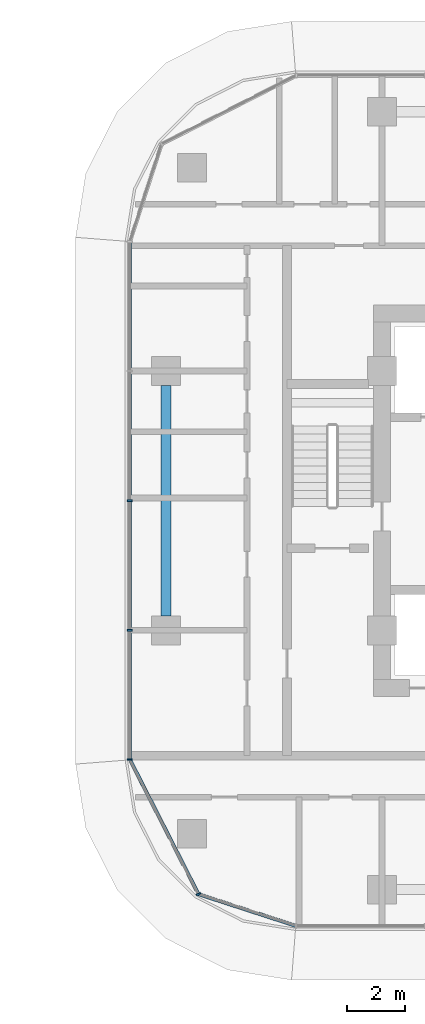
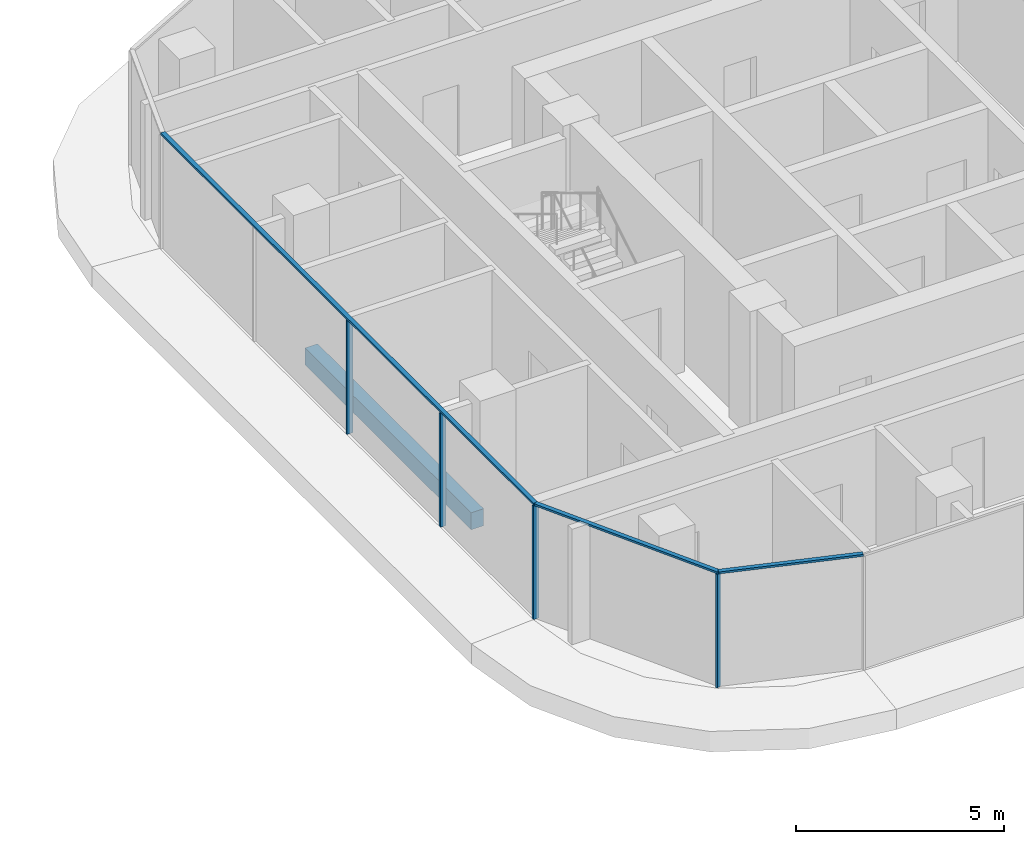
# One storey, part 8 of 39: 7 members, 1 beam, 2 elements without a shape of their own.
"""IFC4 building model written with IfcOpenShell, lengths in metres."""

import ifcopenshell
import ifcopenshell.guid

model = None  # the IFC model being written
_history = None  # IfcOwnerHistory: only IFC2X3 demands one
_inside = {}  # id of a spatial element -> (the spatial element, [elements in it])
_under = {}  # id of a project, library or spatial element -> (it, [spatial elements below it])
_declared = {}  # id of a project -> (the project, [libraries it declares])
_typed = {}  # id of a type object -> (the type object, [elements of that type])
_made_of = {}  # id of a material, layer set ... -> (it, [elements and type objects made of it])


def new_model(schema):
    """Start an empty IFC model of exactly this schema.

    Asked for "IFC4X3", IfcOpenShell would pick the latest addendum, in which some entities
    have other attributes; the version numbers below select the first issue.
    IFC2X3 requires an IfcOwnerHistory on every rooted entity: one is made here for all.
    """
    global model, _history
    if schema == "IFC4X3":
        model = ifcopenshell.file(schema_version=(4, 3, 0, 0))
    else:
        model = ifcopenshell.file(schema=schema)
    _inside.clear()
    _under.clear()
    _declared.clear()
    _typed.clear()
    _made_of.clear()
    _history = None
    if model.schema == "IFC2X3":
        org = make("IfcOrganization", Name="unknown")
        user = make(
            "IfcPersonAndOrganization",
            ThePerson=make("IfcPerson", FamilyName="unknown"),
            TheOrganization=org,
        )
        app = make(
            "IfcApplication",
            ApplicationDeveloper=org,
            Version="unknown",
            ApplicationFullName="unknown",
            ApplicationIdentifier="unknown",
        )
        _history = make(
            "IfcOwnerHistory",
            OwningUser=user,
            OwningApplication=app,
            ChangeAction="ADDED",
            CreationDate=0,
        )
    return model


def make(cls, **values):
    """One entity of the class cls with the attributes given. An attribute that is None is left unset."""
    return model.create_entity(
        cls, **{name: value for name, value in values.items() if value is not None}
    )


def rooted(cls, **values):
    """An entity with a GlobalId (a new one), such as an element, a storey or a relation."""
    return make(cls, GlobalId=ifcopenshell.guid.new(), OwnerHistory=_history, **values)


def si_unit(unit_type, name, prefix=None):
    """IfcSIUnit, for example si_unit("LENGTHUNIT", "METRE", prefix="MILLI")."""
    return make("IfcSIUnit", UnitType=unit_type, Prefix=prefix, Name=name)


def assignment(units):
    """IfcUnitAssignment: the units of a project."""
    return None if units is None else make("IfcUnitAssignment", Units=units)


def point(xyz):
    """IfcCartesianPoint."""
    return None if xyz is None else make("IfcCartesianPoint", Coordinates=xyz)


def direction(xyz):
    """IfcDirection."""
    return None if xyz is None else make("IfcDirection", DirectionRatios=xyz)


def frame(location, z_axis=None, x_axis=None):
    """IfcAxis2Placement3D, a coordinate frame: its origin and axes. An axis left out is left unset."""
    return make(
        "IfcAxis2Placement3D",
        Location=point(location),
        Axis=direction(z_axis),
        RefDirection=direction(x_axis),
    )


def frame_2d(location, x_axis=None):
    """IfcAxis2Placement2D, a coordinate frame in the plane: its origin and x axis."""
    return make(
        "IfcAxis2Placement2D", Location=point(location), RefDirection=direction(x_axis)
    )


def origin():
    """The frame at (0, 0, 0) with its axes left unset."""
    return frame((0.0, 0.0, 0.0))


def origin_2d():
    """The frame at (0, 0) in the plane with its x axis left unset."""
    return frame_2d((0.0, 0.0))


def place(relative_to, where):
    """IfcLocalPlacement: puts the frame where relative to a parent placement (None: the world)."""
    return make(
        "IfcLocalPlacement", PlacementRelTo=relative_to, RelativePlacement=where
    )


def context(
    kind, dimensions, precision=None, world=None, true_north=None, identifier=None
):
    """IfcGeometricRepresentationContext, for example the 3D "Model" context."""
    return make(
        "IfcGeometricRepresentationContext",
        ContextIdentifier=identifier,
        ContextType=kind,
        CoordinateSpaceDimension=dimensions,
        Precision=precision,
        WorldCoordinateSystem=world,
        TrueNorth=true_north,
    )


def subcontext(parent, identifier, kind, view, scale=None):
    """IfcGeometricRepresentationSubContext, for example "Body" below "Model"."""
    return make(
        "IfcGeometricRepresentationSubContext",
        ContextIdentifier=identifier,
        ContextType=kind,
        ParentContext=parent,
        TargetScale=scale,
        TargetView=view,
    )


def project(units=None, contexts=None):
    """IfcProject with its units and contexts."""
    return rooted(
        "IfcProject",
        Name="project",
        RepresentationContexts=contexts,
        UnitsInContext=assignment(units),
    )


def spatial(cls, under=None, at=None, **own):
    """A site, building, storey or space (cls), placed at a placement, below another one or the project."""
    s = rooted(cls, ObjectPlacement=at, **own)
    if under is not None:
        _under.setdefault(under.id(), (under, []))[1].append(s)
    return s


def profile(cls, at=None, kind="AREA", **sizes):
    """A parametric profile (cls). Its sizes go by their IFC names, for example OverallWidth=200.0."""
    return make(cls, ProfileType=kind, Position=at, **sizes)


def rectangle(**sizes):
    """IfcRectangleProfileDef."""
    return profile("IfcRectangleProfileDef", **sizes)


def extrude(swept, where, along, depth):
    """IfcExtrudedAreaSolid: the profile swept, set in the frame where, extruded along a direction by depth."""
    return make(
        "IfcExtrudedAreaSolid",
        SweptArea=swept,
        Position=where,
        ExtrudedDirection=direction(along),
        Depth=depth,
    )


def shape(context_of_items, identifier, shape_type, items):
    """IfcShapeRepresentation: the items that make up one representation, for example the "Body"."""
    return make(
        "IfcShapeRepresentation",
        ContextOfItems=context_of_items,
        RepresentationIdentifier=identifier,
        RepresentationType=shape_type,
        Items=items,
    )


def material(Name=None, Category=None):
    """IfcMaterial."""
    return make("IfcMaterial", Name=Name, Category=Category)


def material_profile(
    of_material, cross_section, Name=None, Category=None, Priority=None
):
    """IfcMaterialProfile: a cross section and its material."""
    return make(
        "IfcMaterialProfile",
        Name=Name,
        Material=of_material,
        Profile=cross_section,
        Priority=Priority,
        Category=Category,
    )


def profile_set(profiles, Name=None, composite=None):
    """IfcMaterialProfileSet."""
    return make(
        "IfcMaterialProfileSet",
        Name=Name,
        MaterialProfiles=profiles,
        CompositeProfile=composite,
    )


def made_of(thing, what):
    """Note that an element or type object is made of a material, layer set ...; save() writes the relation."""
    if what is not None:
        _made_of.setdefault(what.id(), (what, []))[1].append(thing)
    return thing


def type_object(cls, material=None, **own):
    """A type object (cls), such as IfcWallType, which elements share."""
    return made_of(rooted(cls, **own), material)


def element(
    cls,
    number,
    at=None,
    inside=None,
    cuts=None,
    type_object=None,
    material=None,
    context=None,
    identifier="Body",
    shape_type=None,
    held_by="IfcProductDefinitionShape",
    body=None,
    shapes=None,
    **own,
):
    """One element of the class cls, such as IfcWall. Its Tag is "e" and its number.

    at: its placement. inside: the storey or other place that contains it. cuts: it is an
    opening in that element (IfcRelVoidsElement). A single representation is given by context,
    identifier, shape_type and body (its items); several are given by shapes. held_by: the class
    of the entity that holds the representations. save() writes the other relations.
    """
    e = rooted(cls, Tag="e%d" % number, ObjectPlacement=at, **own)
    if body is not None:
        shapes = [shape(context, identifier, shape_type, body)]
    if shapes is not None:
        e.Representation = make(held_by, Representations=shapes)
    if inside is not None:
        _inside.setdefault(inside.id(), (inside, []))[1].append(e)
    if cuts is not None:
        rooted(
            "IfcRelVoidsElement", RelatingBuildingElement=cuts, RelatedOpeningElement=e
        )
    if type_object is not None:
        _typed.setdefault(type_object.id(), (type_object, []))[1].append(e)
    return made_of(e, material)


def aggregate(whole, parts):
    """IfcRelAggregates: a whole, such as a stair, and the parts it consists of."""
    return rooted("IfcRelAggregates", RelatingObject=whole, RelatedObjects=parts)


def save(model, path):
    """Write the relations noted so far, then the file.

    IfcRelAggregates (storeys below a building ...), IfcRelContainedInSpatialStructure (elements
    in a storey), IfcRelDefinesByType, IfcRelAssociatesMaterial and IfcRelDeclares: one each for
    every whole, place, type object, material and project.
    """
    for whole, parts in _under.values():
        aggregate(whole, parts)
    for where, things in _inside.values():
        rooted(
            "IfcRelContainedInSpatialStructure",
            RelatedElements=things,
            RelatingStructure=where,
        )
    for kind, things in _typed.values():
        rooted("IfcRelDefinesByType", RelatedObjects=things, RelatingType=kind)
    for what, things in _made_of.values():
        rooted("IfcRelAssociatesMaterial", RelatedObjects=things, RelatingMaterial=what)
    for by, libraries in _declared.values():
        rooted("IfcRelDeclares", RelatingContext=by, RelatedDefinitions=libraries)
    model.write(path)


model = new_model("IFC4")

# Units and contexts
model_context = context("Model", 3, precision=1e-05, world=origin(), true_north=direction((0.0, 1.0)))
body_context = subcontext(model_context, "Body", "Model", "MODEL_VIEW")
ifc_project = project(units=[si_unit("LENGTHUNIT", "METRE"), si_unit("AREAUNIT", "SQUARE_METRE"), si_unit("VOLUMEUNIT", "CUBIC_METRE"), si_unit("PLANEANGLEUNIT", "RADIAN"), si_unit("MASSUNIT", "GRAM", prefix="KILO")], contexts=[model_context])

# Site, building, storey
site_placement = place(None, origin())
site = spatial("IfcSite", under=ifc_project, at=site_placement, CompositionType="ELEMENT")
building_placement = place(site_placement, origin())
building = spatial("IfcBuilding", under=site, at=building_placement, Name="Ogive Portal Towers", CompositionType="ELEMENT")
storey_placement = place(building_placement, frame((0.0, 0.0, 44.60009765625)))
storey = spatial("IfcBuildingStorey", under=building, at=storey_placement, Name="L09", CompositionType="ELEMENT", Elevation=44.60009765625)

# Curtain wall, members
ifc_material_1 = material(Name="Glass, clear low-iron insulated glazing", Category="glass")
curtain_wall_type = type_object("IfcCurtainWallType", Name="CW RESIDENCES RIBBON", PredefinedType="NOTDEFINED", material=ifc_material_1)
curtain_wall_1_placement = place(storey_placement, origin())
curtain_wall_1 = element("IfcCurtainWall", 1, at=curtain_wall_1_placement, inside=storey, type_object=curtain_wall_type, Name="B:L09:f11:cw0", PredefinedType="NOTDEFINED")
ifc_material_2 = material(Name="Aluminium 6063 anodised", Category="aluminium")
ifc_material_profile_1 = material_profile(ifc_material_2, rectangle(XDim=0.159912109375, YDim=0.06005859375, at=origin_2d()), Name="AL 60x160")
ifc_profile_set_1 = profile_set([ifc_material_profile_1], Name="Aluminium 6063 anodised")
member_type_1 = type_object("IfcMemberType", Name="CW MULLION 60x160", PredefinedType="MULLION", material=ifc_profile_set_1)
member_1_placement = place(storey_placement, frame((120.2451171875, 31.0, 0.0), z_axis=(0.0, 0.0, 1.0), x_axis=(1.0, 0.0, 0.0)))
member_1 = element("IfcMember", 2, at=member_1_placement, type_object=member_type_1, Name="mullion", PredefinedType="MULLION", context=body_context, shape_type="SweptSolid", body=[
    extrude(rectangle(XDim=0.159912109375, YDim=0.06005859375, at=origin_2d()), origin(), (0.0, 0.0, 1.0), 3.33984375),
])
member_2_placement = place(storey_placement, frame((120.2451171875, 26.5, 0.0), z_axis=(0.0, 0.0, 1.0), x_axis=(1.0, 0.0, 0.0)))
member_2 = element("IfcMember", 3, at=member_2_placement, type_object=member_type_1, Name="mullion", PredefinedType="MULLION", context=body_context, shape_type="SweptSolid", body=[
    extrude(rectangle(XDim=0.159912109375, YDim=0.06005859375, at=origin_2d()), origin(), (0.0, 0.0, 1.0), 3.33984375),
])
member_3_placement = place(storey_placement, frame((120.2451171875, 22.019287109375, 0.0), z_axis=(0.0, 0.0, 1.0), x_axis=(1.0, 0.0, 0.0)))
member_3 = element("IfcMember", 4, at=member_3_placement, type_object=member_type_1, Name="mullion", PredefinedType="MULLION", context=body_context, shape_type="SweptSolid", body=[
    extrude(rectangle(XDim=0.159912109375, YDim=0.06005859375, at=origin_2d()), origin(), (0.0, 0.0, 1.0), 3.33984375),
])

# Curtain wall, member
curtain_wall_2_placement = place(storey_placement, origin())
curtain_wall_2 = element("IfcCurtainWall", 5, at=curtain_wall_2_placement, inside=storey, type_object=curtain_wall_type, Name="B:L09:f00:cwa", PredefinedType="NOTDEFINED")
member_4_placement = place(storey_placement, frame((122.62646484375, 17.34521484375, 0.0), z_axis=(0.0, 0.0, 1.0), x_axis=(0.891006524188, 0.45399049974, 0.0)))
member_4 = element("IfcMember", 6, at=member_4_placement, type_object=member_type_1, Name="mullion", PredefinedType="MULLION", context=body_context, shape_type="SweptSolid", body=[
    extrude(rectangle(XDim=0.159912109375, YDim=0.06005859375, at=origin_2d()), origin(), (0.0, 0.0, 1.0), 3.33984375),
])

# Member
ifc_material_profile_2 = material_profile(ifc_material_2, rectangle(XDim=0.1201171875, YDim=0.06005859375, at=origin_2d()), Name="AL 120x60")
ifc_profile_set_2 = profile_set([ifc_material_profile_2], Name="Aluminium 6063 anodised")
member_type_2 = type_object("IfcMemberType", Name="CW TRANSOM 60x120", PredefinedType="USERDEFINED", material=ifc_profile_set_2)
member_5_placement = place(storey_placement, frame((120.2451171875, 39.9873046875, 3.369873046875), z_axis=(0.0, -1.0, 0.0), x_axis=(1.0, 0.0, 0.0)))
member_5 = element("IfcMember", 7, at=member_5_placement, type_object=member_type_2, Name="transom", ObjectType="TRANSOM", PredefinedType="USERDEFINED", context=body_context, shape_type="SweptSolid", body=[
    extrude(rectangle(XDim=0.1201171875, YDim=0.06005859375, at=origin_2d()), origin(), (0.0, 0.0, 1.0), 17.968017578125),
])

aggregate(curtain_wall_1, [member_5, member_1, member_2, member_3])

member_6_placement = place(storey_placement, frame((120.2451171875, 22.019287109375, 3.369873046875), z_axis=(0.453958549068, -0.891022803147, 0.0), x_axis=(0.891022803147, 0.453958549068, 0.0)))
member_6 = element("IfcMember", 8, at=member_6_placement, type_object=member_type_2, Name="transom", ObjectType="TRANSOM", PredefinedType="USERDEFINED", context=body_context, shape_type="SweptSolid", body=[
    extrude(rectangle(XDim=0.1201171875, YDim=0.06005859375, at=origin_2d()), origin(), (0.0, 0.0, 1.0), 5.245849609375),
])

member_7_placement = place(storey_placement, frame((122.62646484375, 17.34521484375, 3.369873046875), z_axis=(0.951069336097, -0.308977536298, 0.0), x_axis=(0.308977536298, 0.951069336097, 0.0)))
member_7 = element("IfcMember", 9, at=member_7_placement, type_object=member_type_2, Name="transom", ObjectType="TRANSOM", PredefinedType="USERDEFINED", context=body_context, shape_type="SweptSolid", body=[
    extrude(rectangle(XDim=0.1201171875, YDim=0.06005859375, at=origin_2d()), origin(), (0.0, 0.0, 1.0), 3.560546875),
])

aggregate(curtain_wall_2, [member_6, member_7, member_4])

# Beam
ifc_material_3 = material(Name="Concrete C50/60", Category="concrete")
ifc_material_profile_3 = material_profile(ifc_material_3, rectangle(XDim=0.35009765625, YDim=0.5, at=origin_2d()), Name="RC 350x500")
ifc_profile_set_3 = profile_set([ifc_material_profile_3], Name="Concrete C50/60")
beam_type = type_object("IfcBeamType", Name="SPANDREL BEAM RC 350x500", PredefinedType="BEAM", material=ifc_profile_set_3)
beam_placement = place(storey_placement, frame((121.5, 35.0, -0.550048828125), z_axis=(0.0, -1.0, 0.0), x_axis=(1.0, 0.0, 0.0)))
element("IfcBeam", 10, at=beam_placement, inside=storey, type_object=beam_type, Name="Spandrel beam L09", PredefinedType="BEAM", context=body_context, shape_type="SweptSolid", body=[
    extrude(rectangle(XDim=0.35009765625, YDim=0.5, at=origin_2d()), origin(), (0.0, 0.0, 1.0), 8.0),
])

save(model, "model.ifc")
